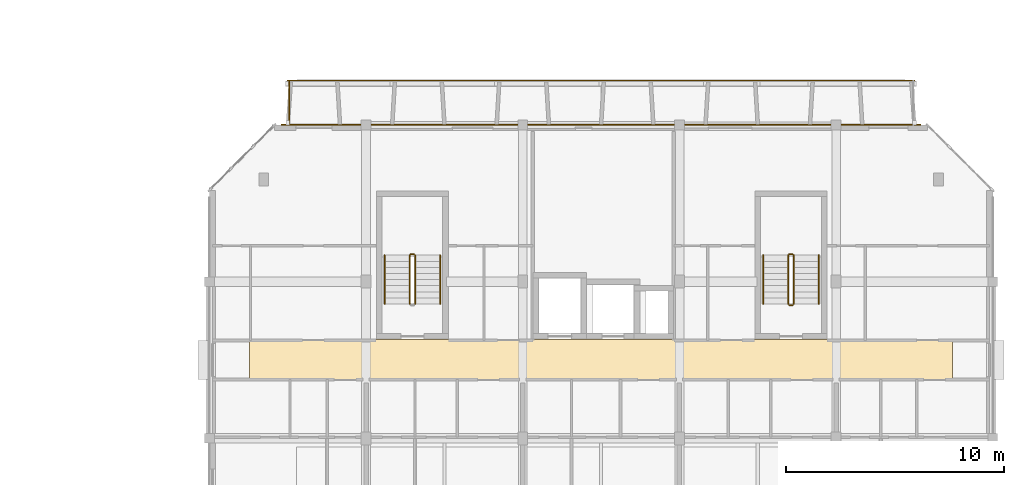
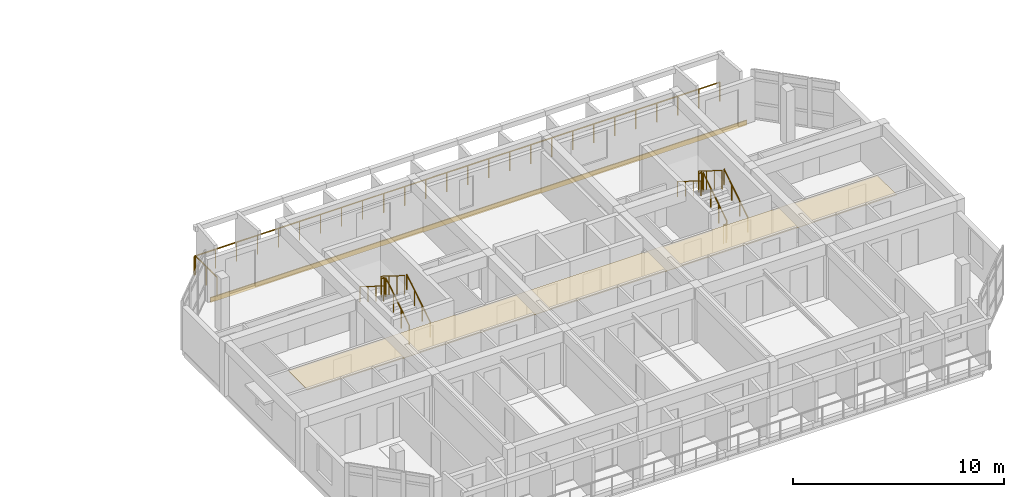
# One storey, part 40 of 43: 13 railings, 2 coverings.
"""IFC4 building model written with IfcOpenShell, lengths in metres."""

from ifc_helpers import new_model, si_unit, direction, frame, origin, origin_2d, place, context, subcontext, project, spatial, polyline, rectangle, circle, outline, extrude, material, layer, layer_set, type_object, element, save


model = new_model("IFC4")

# Units and contexts
model_context = context("Model", 3, precision=1e-05, world=origin(), true_north=direction((0.0, 1.0)))
body_context = subcontext(model_context, "Body", "Model", "MODEL_VIEW")
ifc_project = project(units=[si_unit("LENGTHUNIT", "METRE"), si_unit("AREAUNIT", "SQUARE_METRE"), si_unit("VOLUMEUNIT", "CUBIC_METRE"), si_unit("PLANEANGLEUNIT", "RADIAN"), si_unit("MASSUNIT", "GRAM", prefix="KILO")], contexts=[model_context])

# Site, building, storey
site_placement = place(None, origin())
site = spatial("IfcSite", under=ifc_project, at=site_placement, CompositionType="ELEMENT")
building_placement = place(site_placement, origin())
building = spatial("IfcBuilding", under=site, at=building_placement, Name="Ochrevale Crest", CompositionType="ELEMENT")
storey_placement = place(building_placement, frame((0.0, 0.0, 30.75)))
storey = spatial("IfcBuildingStorey", under=building, at=storey_placement, Name="L09", CompositionType="ELEMENT", Elevation=30.75)

# Coverings
ifc_material_1 = material(Name="Gypsum plasterboard", Category="gypsum")
ifc_layer_1 = layer(ifc_material_1, 0.02490234375)
ifc_layer_set_1 = layer_set([ifc_layer_1], Name="Gypsum plasterboard")
covering_type_1 = type_object("IfcCoveringType", Name="COV-CEIL-GYP", PredefinedType="CEILING", material=ifc_layer_set_1)
covering_1_placement = place(storey_placement, frame((0.0, 0.0, 2.280029296875)))
element("IfcCovering", 1, at=covering_1_placement, inside=storey, type_object=covering_type_1, Name="Block C L09 acoustic corridor ceiling", PredefinedType="CEILING", context=body_context, shape_type="SweptSolid", body=[
    extrude(outline(polyline([(131.449951171875, 24.260009765625), (163.75, 24.260009765625), (163.75, 26.139892578125), (131.449951171875, 26.139892578125), (131.449951171875, 24.260009765625)])), origin(), (0.0, 0.0, 1.0), 0.02490234375),
])
ifc_material_2 = material(Name="Glazed terracotta rainscreen tile", Category="masonry")
ifc_layer_2 = layer(ifc_material_2, 0.048095703125)
ifc_layer_set_2 = layer_set([ifc_layer_2], Name="Glazed terracotta rainscreen tile")
covering_type_2 = type_object("IfcCoveringType", Name="COV-CLAD-TER", PredefinedType="CLADDING", material=ifc_layer_set_2)
covering_2_placement = place(storey_placement, frame((147.60009765625, 36.012451171875, -0.26025390625), z_axis=(0.0, 0.0, 1.0), x_axis=(-1.0, 0.0, 0.0)))
element("IfcCovering", 2, at=covering_2_placement, inside=storey, type_object=covering_type_2, Name="Block C L09 terracotta slab-edge spandrel cladding", PredefinedType="CLADDING", context=body_context, shape_type="SweptSolid", body=[
    extrude(rectangle(XDim=29.39990234375, YDim=0.06005859375, at=origin_2d()), origin(), (0.0, 0.0, 1.0), 0.280029296875),
])

# Railings
ifc_material_3 = material(Name="Galvanised steel", Category="steel")
railing_type_1 = type_object("IfcRailingType", Name="RL-BAL-1100", PredefinedType="BALUSTRADE", material=ifc_material_3)
railing_1_placement = place(storey_placement, frame((133.199951171875, 38.0400390625, 0.0)))
element("IfcRailing", 3, at=railing_1_placement, inside=storey, type_object=railing_type_1, Name="Block C L09 N balcony front balustrade", PredefinedType="BALUSTRADE", context=body_context, shape_type="SweptSolid", body=[
    extrude(circle(Radius=0.02392578125, at=origin_2d()), frame((0.0, 0.0, 1.0859375), z_axis=(1.0, 0.0, 0.0), x_axis=(0.0, 1.0, 0.0)), (0.0, 0.0, 1.0), 28.800048828125),
    extrude(circle(Radius=0.02099609375, at=origin_2d()), origin(), (0.0, 0.0, 1.0), 1.06201171875),
    extrude(circle(Radius=0.02099609375, at=origin_2d()), frame((1.152099609375, 0.0, 0.0)), (0.0, 0.0, 1.0), 1.06201171875),
    extrude(circle(Radius=0.02099609375, at=origin_2d()), frame((2.303955078125, 0.0, 0.0)), (0.0, 0.0, 1.0), 1.06201171875),
    extrude(circle(Radius=0.02099609375, at=origin_2d()), frame((3.4560546875, 0.0, 0.0)), (0.0, 0.0, 1.0), 1.06201171875),
    extrude(circle(Radius=0.02099609375, at=origin_2d()), frame((4.60791015625, 0.0, 0.0)), (0.0, 0.0, 1.0), 1.06201171875),
    extrude(circle(Radius=0.02099609375, at=origin_2d()), frame((5.760009765625, 0.0, 0.0)), (0.0, 0.0, 1.0), 1.06201171875),
    extrude(circle(Radius=0.02099609375, at=origin_2d()), frame((6.912109375, 0.0, 0.0)), (0.0, 0.0, 1.0), 1.06201171875),
    extrude(circle(Radius=0.02099609375, at=origin_2d()), frame((8.06396484375, 0.0, 0.0)), (0.0, 0.0, 1.0), 1.06201171875),
    extrude(circle(Radius=0.02099609375, at=origin_2d()), frame((9.216064453125, 0.0, 0.0)), (0.0, 0.0, 1.0), 1.06201171875),
    extrude(circle(Radius=0.02099609375, at=origin_2d()), frame((10.367919921875, 0.0, 0.0)), (0.0, 0.0, 1.0), 1.06201171875),
    extrude(circle(Radius=0.02099609375, at=origin_2d()), frame((11.52001953125, 0.0, 0.0)), (0.0, 0.0, 1.0), 1.06201171875),
    extrude(circle(Radius=0.02099609375, at=origin_2d()), frame((12.672119140625, 0.0, 0.0)), (0.0, 0.0, 1.0), 1.06201171875),
    extrude(circle(Radius=0.02099609375, at=origin_2d()), frame((13.823974609375, 0.0, 0.0)), (0.0, 0.0, 1.0), 1.06201171875),
    extrude(circle(Radius=0.02099609375, at=origin_2d()), frame((14.97607421875, 0.0, 0.0)), (0.0, 0.0, 1.0), 1.06201171875),
    extrude(circle(Radius=0.02099609375, at=origin_2d()), frame((16.1279296875, 0.0, 0.0)), (0.0, 0.0, 1.0), 1.06201171875),
    extrude(circle(Radius=0.02099609375, at=origin_2d()), frame((17.280029296875, 0.0, 0.0)), (0.0, 0.0, 1.0), 1.06201171875),
    extrude(circle(Radius=0.02099609375, at=origin_2d()), frame((18.43212890625, 0.0, 0.0)), (0.0, 0.0, 1.0), 1.06201171875),
    extrude(circle(Radius=0.02099609375, at=origin_2d()), frame((19.583984375, 0.0, 0.0)), (0.0, 0.0, 1.0), 1.06201171875),
    extrude(circle(Radius=0.02099609375, at=origin_2d()), frame((20.736083984375, 0.0, 0.0)), (0.0, 0.0, 1.0), 1.06201171875),
    extrude(circle(Radius=0.02099609375, at=origin_2d()), frame((21.887939453125, 0.0, 0.0)), (0.0, 0.0, 1.0), 1.06201171875),
    extrude(circle(Radius=0.02099609375, at=origin_2d()), frame((23.0400390625, 0.0, 0.0)), (0.0, 0.0, 1.0), 1.06201171875),
    extrude(circle(Radius=0.02099609375, at=origin_2d()), frame((24.192138671875, 0.0, 0.0)), (0.0, 0.0, 1.0), 1.06201171875),
    extrude(circle(Radius=0.02099609375, at=origin_2d()), frame((25.343994140625, 0.0, 0.0)), (0.0, 0.0, 1.0), 1.06201171875),
    extrude(circle(Radius=0.02099609375, at=origin_2d()), frame((26.49609375, 0.0, 0.0)), (0.0, 0.0, 1.0), 1.06201171875),
    extrude(circle(Radius=0.02099609375, at=origin_2d()), frame((27.64794921875, 0.0, 0.0)), (0.0, 0.0, 1.0), 1.06201171875),
    extrude(circle(Radius=0.02099609375, at=origin_2d()), frame((28.800048828125, 0.0, 0.0)), (0.0, 0.0, 1.0), 1.06201171875),
])
railing_2_placement = place(storey_placement, frame((133.260009765625, 36.0, 0.0)))
element("IfcRailing", 4, at=railing_2_placement, inside=storey, type_object=railing_type_1, Name="Block C L09 N-W balcony side guard", PredefinedType="BALUSTRADE", context=body_context, shape_type="SweptSolid", body=[
    extrude(circle(Radius=0.02392578125, at=origin_2d()), frame((0.0, 0.0, 1.0859375), z_axis=(0.0, 1.0, 0.0), x_axis=(-1.0, 0.0, 0.0)), (0.0, 0.0, 1.0), 2.0400390625),
    extrude(circle(Radius=0.02099609375, at=origin_2d()), origin(), (0.0, 0.0, 1.0), 1.06201171875),
    extrude(circle(Radius=0.02099609375, at=origin_2d()), frame((0.0, 1.02001953125, 0.0)), (0.0, 0.0, 1.0), 1.06201171875),
    extrude(circle(Radius=0.02099609375, at=origin_2d()), frame((0.0, 2.0400390625, 0.0)), (0.0, 0.0, 1.0), 1.06201171875),
])
railing_type_2 = type_object("IfcRailingType", Name="RL-ST-GUARD", PredefinedType="BALUSTRADE", material=ifc_material_3)
railing_3_placement = place(storey_placement, frame((139.050048828125, 27.77490234375, 0.175048828125)))
element("IfcRailing", 5, at=railing_3_placement, inside=storey, type_object=railing_type_2, Name="L09 ST-C1 stair guard 1", PredefinedType="BALUSTRADE", context=body_context, shape_type="SweptSolid", body=[
    extrude(circle(Radius=0.02392578125, at=origin_2d()), frame((0.0, 0.0, 1.076171875), z_axis=(0.0, 0.848013881152, 0.529974015752), x_axis=(-1.0, 0.0, 0.0)), (0.0, 0.0, 1.0), 2.641357421875),
    extrude(circle(Radius=0.02099609375, at=origin_2d()), origin(), (0.0, 0.0, 1.0), 1.052001953125),
    extrude(circle(Radius=0.02099609375, at=origin_2d()), frame((0.0, 0.74658203125, 0.466552734375)), (0.0, 0.0, 1.0), 1.052001953125),
    extrude(circle(Radius=0.02099609375, at=origin_2d()), frame((0.0, 1.493408203125, 0.933349609375)), (0.0, 0.0, 1.0), 1.052001953125),
    extrude(circle(Radius=0.02099609375, at=origin_2d()), frame((0.0, 2.239990234375, 1.39990234375)), (0.0, 0.0, 1.0), 1.052001953125),
])
railing_4_placement = place(storey_placement, frame((139.0, 30.06494140625, 1.574951171875)))
element("IfcRailing", 6, at=railing_4_placement, inside=storey, type_object=railing_type_2, Name="L09 ST-C1 stair guard 2", PredefinedType="BALUSTRADE", context=body_context, shape_type="SweptSolid", body=[
    extrude(circle(Radius=0.02392578125, at=origin_2d()), frame((0.0, 0.0, 1.076171875), z_axis=(-1.0, 0.0, 0.0), x_axis=(0.0, -1.0, 0.0)), (0.0, 0.0, 1.0), 0.14990234375),
    extrude(circle(Radius=0.02099609375, at=origin_2d()), origin(), (0.0, 0.0, 1.0), 1.052001953125),
    extrude(circle(Radius=0.02099609375, at=origin_2d()), frame((-0.14990234375, 0.0, 0.0)), (0.0, 0.0, 1.0), 1.052001953125),
])
railing_5_placement = place(storey_placement, frame((138.800048828125, 30.014892578125, 1.75)))
element("IfcRailing", 7, at=railing_5_placement, inside=storey, type_object=railing_type_2, Name="L09 ST-C1 stair guard 3", PredefinedType="BALUSTRADE", context=body_context, shape_type="SweptSolid", body=[
    extrude(circle(Radius=0.02392578125, at=origin_2d()), frame((0.0, 0.0, 1.076171875), z_axis=(0.0, -0.848013881152, 0.529974015752), x_axis=(1.0, 0.0, 0.0)), (0.0, 0.0, 1.0), 2.641357421875),
    extrude(circle(Radius=0.02099609375, at=origin_2d()), origin(), (0.0, 0.0, 1.0), 1.052001953125),
    extrude(circle(Radius=0.02099609375, at=origin_2d()), frame((0.0, -0.74658203125, 0.466552734375)), (0.0, 0.0, 1.0), 1.052001953125),
    extrude(circle(Radius=0.02099609375, at=origin_2d()), frame((0.0, -1.493408203125, 0.933349609375)), (0.0, 0.0, 1.0), 1.052001953125),
    extrude(circle(Radius=0.02099609375, at=origin_2d()), frame((0.0, -2.239990234375, 1.39990234375)), (0.0, 0.0, 1.0), 1.052001953125),
])
railing_6_placement = place(storey_placement, frame((156.449951171875, 27.77490234375, 0.175048828125)))
element("IfcRailing", 8, at=railing_6_placement, inside=storey, type_object=railing_type_2, Name="L09 ST-C2 stair guard 1", PredefinedType="BALUSTRADE", context=body_context, shape_type="SweptSolid", body=[
    extrude(circle(Radius=0.02392578125, at=origin_2d()), frame((0.0, 0.0, 1.076171875), z_axis=(0.0, 0.848013881152, 0.529974015752), x_axis=(-1.0, 0.0, 0.0)), (0.0, 0.0, 1.0), 2.641357421875),
    extrude(circle(Radius=0.02099609375, at=origin_2d()), origin(), (0.0, 0.0, 1.0), 1.052001953125),
    extrude(circle(Radius=0.02099609375, at=origin_2d()), frame((0.0, 0.74658203125, 0.466552734375)), (0.0, 0.0, 1.0), 1.052001953125),
    extrude(circle(Radius=0.02099609375, at=origin_2d()), frame((0.0, 1.493408203125, 0.933349609375)), (0.0, 0.0, 1.0), 1.052001953125),
    extrude(circle(Radius=0.02099609375, at=origin_2d()), frame((0.0, 2.239990234375, 1.39990234375)), (0.0, 0.0, 1.0), 1.052001953125),
])
railing_7_placement = place(storey_placement, frame((156.39990234375, 30.06494140625, 1.574951171875)))
element("IfcRailing", 9, at=railing_7_placement, inside=storey, type_object=railing_type_2, Name="L09 ST-C2 stair guard 2", PredefinedType="BALUSTRADE", context=body_context, shape_type="SweptSolid", body=[
    extrude(circle(Radius=0.02392578125, at=origin_2d()), frame((0.0, 0.0, 1.076171875), z_axis=(-1.0, 0.0, 0.0), x_axis=(0.0, -1.0, 0.0)), (0.0, 0.0, 1.0), 0.14990234375),
    extrude(circle(Radius=0.02099609375, at=origin_2d()), origin(), (0.0, 0.0, 1.0), 1.052001953125),
    extrude(circle(Radius=0.02099609375, at=origin_2d()), frame((-0.14990234375, 0.0, 0.0)), (0.0, 0.0, 1.0), 1.052001953125),
])
railing_8_placement = place(storey_placement, frame((156.199951171875, 30.014892578125, 1.75)))
element("IfcRailing", 10, at=railing_8_placement, inside=storey, type_object=railing_type_2, Name="L09 ST-C2 stair guard 3", PredefinedType="BALUSTRADE", context=body_context, shape_type="SweptSolid", body=[
    extrude(circle(Radius=0.02392578125, at=origin_2d()), frame((0.0, 0.0, 1.076171875), z_axis=(0.0, -0.848013881152, 0.529974015752), x_axis=(1.0, 0.0, 0.0)), (0.0, 0.0, 1.0), 2.641357421875),
    extrude(circle(Radius=0.02099609375, at=origin_2d()), origin(), (0.0, 0.0, 1.0), 1.052001953125),
    extrude(circle(Radius=0.02099609375, at=origin_2d()), frame((0.0, -0.74658203125, 0.466552734375)), (0.0, 0.0, 1.0), 1.052001953125),
    extrude(circle(Radius=0.02099609375, at=origin_2d()), frame((0.0, -1.493408203125, 0.933349609375)), (0.0, 0.0, 1.0), 1.052001953125),
    extrude(circle(Radius=0.02099609375, at=origin_2d()), frame((0.0, -2.239990234375, 1.39990234375)), (0.0, 0.0, 1.0), 1.052001953125),
])
railing_9_placement = place(storey_placement, frame((156.39990234375, 27.72509765625, 0.0)))
element("IfcRailing", 11, at=railing_9_placement, inside=storey, type_object=railing_type_2, Name="L09 ST-C2 stair guard 4", PredefinedType="BALUSTRADE", context=body_context, shape_type="SweptSolid", body=[
    extrude(circle(Radius=0.02392578125, at=origin_2d()), frame((0.0, 0.0, 1.076171875), z_axis=(-1.0, 0.0, 0.0), x_axis=(0.0, -1.0, 0.0)), (0.0, 0.0, 1.0), 0.14990234375),
    extrude(circle(Radius=0.02099609375, at=origin_2d()), origin(), (0.0, 0.0, 1.0), 1.052001953125),
    extrude(circle(Radius=0.02099609375, at=origin_2d()), frame((-0.14990234375, 0.0, 0.0)), (0.0, 0.0, 1.0), 1.052001953125),
])
ifc_material_4 = material(Name="Stainless steel", Category="steel")
railing_type_3 = type_object("IfcRailingType", Name="RL-ST-HRAIL", PredefinedType="HANDRAIL", material=ifc_material_4)
railing_10_placement = place(storey_placement, frame((140.199951171875, 27.77490234375, 0.175048828125)))
element("IfcRailing", 12, at=railing_10_placement, inside=storey, type_object=railing_type_3, Name="L09 ST-C1 stair handrail 1", PredefinedType="HANDRAIL", context=body_context, shape_type="SweptSolid", body=[
    extrude(circle(Radius=0.02392578125, at=origin_2d()), frame((0.0, 0.0, 0.8759765625), z_axis=(0.0, 0.848013881152, 0.529974015752), x_axis=(-1.0, 0.0, 0.0)), (0.0, 0.0, 1.0), 2.641357421875),
    extrude(circle(Radius=0.02099609375, at=origin_2d()), origin(), (0.0, 0.0, 1.0), 0.851806640625),
    extrude(circle(Radius=0.02099609375, at=origin_2d()), frame((0.0, 0.74658203125, 0.466552734375)), (0.0, 0.0, 1.0), 0.851806640625),
    extrude(circle(Radius=0.02099609375, at=origin_2d()), frame((0.0, 1.493408203125, 0.933349609375)), (0.0, 0.0, 1.0), 0.851806640625),
    extrude(circle(Radius=0.02099609375, at=origin_2d()), frame((0.0, 2.239990234375, 1.39990234375)), (0.0, 0.0, 1.0), 0.851806640625),
])
railing_11_placement = place(storey_placement, frame((137.64990234375, 30.014892578125, 1.75)))
element("IfcRailing", 13, at=railing_11_placement, inside=storey, type_object=railing_type_3, Name="L09 ST-C1 stair handrail 2", PredefinedType="HANDRAIL", context=body_context, shape_type="SweptSolid", body=[
    extrude(circle(Radius=0.02392578125, at=origin_2d()), frame((0.0, 0.0, 0.8759765625), z_axis=(0.0, -0.848013881152, 0.529974015752), x_axis=(1.0, 0.0, 0.0)), (0.0, 0.0, 1.0), 2.641357421875),
    extrude(circle(Radius=0.02099609375, at=origin_2d()), origin(), (0.0, 0.0, 1.0), 0.851806640625),
    extrude(circle(Radius=0.02099609375, at=origin_2d()), frame((0.0, -0.74658203125, 0.466552734375)), (0.0, 0.0, 1.0), 0.851806640625),
    extrude(circle(Radius=0.02099609375, at=origin_2d()), frame((0.0, -1.493408203125, 0.933349609375)), (0.0, 0.0, 1.0), 0.851806640625),
    extrude(circle(Radius=0.02099609375, at=origin_2d()), frame((0.0, -2.239990234375, 1.39990234375)), (0.0, 0.0, 1.0), 0.851806640625),
])
railing_12_placement = place(storey_placement, frame((157.60009765625, 27.77490234375, 0.175048828125)))
element("IfcRailing", 14, at=railing_12_placement, inside=storey, type_object=railing_type_3, Name="L09 ST-C2 stair handrail 1", PredefinedType="HANDRAIL", context=body_context, shape_type="SweptSolid", body=[
    extrude(circle(Radius=0.02392578125, at=origin_2d()), frame((0.0, 0.0, 0.8759765625), z_axis=(0.0, 0.848013881152, 0.529974015752), x_axis=(-1.0, 0.0, 0.0)), (0.0, 0.0, 1.0), 2.641357421875),
    extrude(circle(Radius=0.02099609375, at=origin_2d()), origin(), (0.0, 0.0, 1.0), 0.851806640625),
    extrude(circle(Radius=0.02099609375, at=origin_2d()), frame((0.0, 0.74658203125, 0.466552734375)), (0.0, 0.0, 1.0), 0.851806640625),
    extrude(circle(Radius=0.02099609375, at=origin_2d()), frame((0.0, 1.493408203125, 0.933349609375)), (0.0, 0.0, 1.0), 0.851806640625),
    extrude(circle(Radius=0.02099609375, at=origin_2d()), frame((0.0, 2.239990234375, 1.39990234375)), (0.0, 0.0, 1.0), 0.851806640625),
])
railing_13_placement = place(storey_placement, frame((155.050048828125, 30.014892578125, 1.75)))
element("IfcRailing", 15, at=railing_13_placement, inside=storey, type_object=railing_type_3, Name="L09 ST-C2 stair handrail 2", PredefinedType="HANDRAIL", context=body_context, shape_type="SweptSolid", body=[
    extrude(circle(Radius=0.02392578125, at=origin_2d()), frame((0.0, 0.0, 0.8759765625), z_axis=(0.0, -0.848013881152, 0.529974015752), x_axis=(1.0, 0.0, 0.0)), (0.0, 0.0, 1.0), 2.641357421875),
    extrude(circle(Radius=0.02099609375, at=origin_2d()), origin(), (0.0, 0.0, 1.0), 0.851806640625),
    extrude(circle(Radius=0.02099609375, at=origin_2d()), frame((0.0, -0.74658203125, 0.466552734375)), (0.0, 0.0, 1.0), 0.851806640625),
    extrude(circle(Radius=0.02099609375, at=origin_2d()), frame((0.0, -1.493408203125, 0.933349609375)), (0.0, 0.0, 1.0), 0.851806640625),
    extrude(circle(Radius=0.02099609375, at=origin_2d()), frame((0.0, -2.239990234375, 1.39990234375)), (0.0, 0.0, 1.0), 0.851806640625),
])

save(model, "model.ifc")
